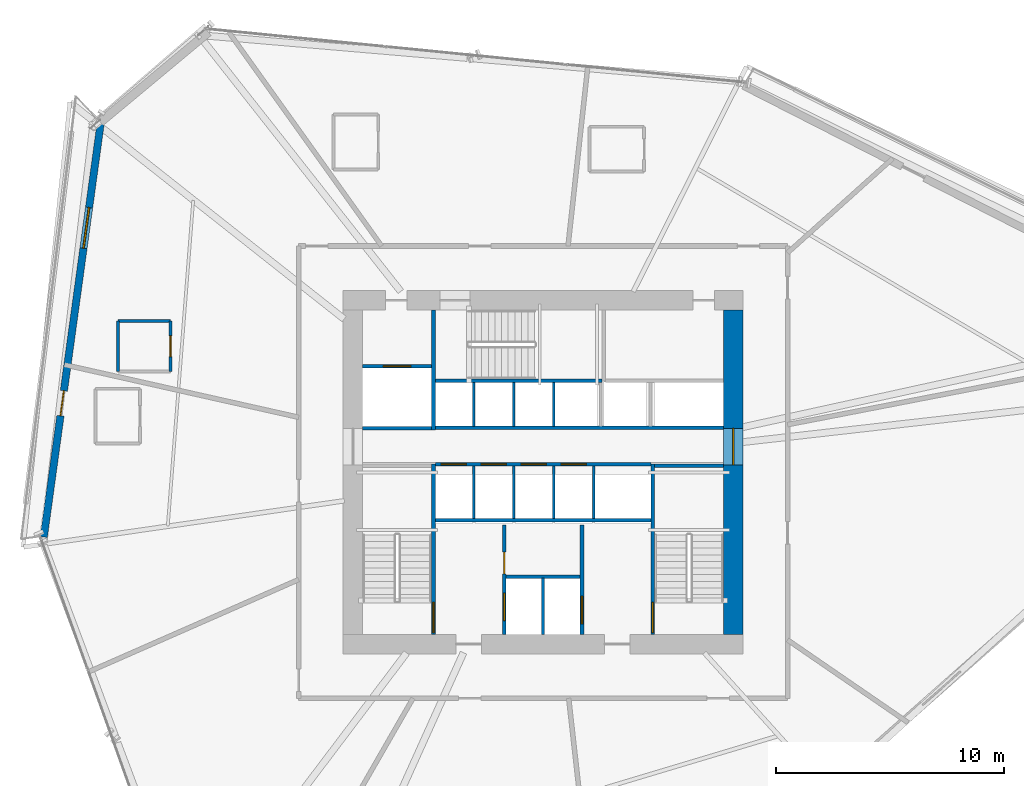
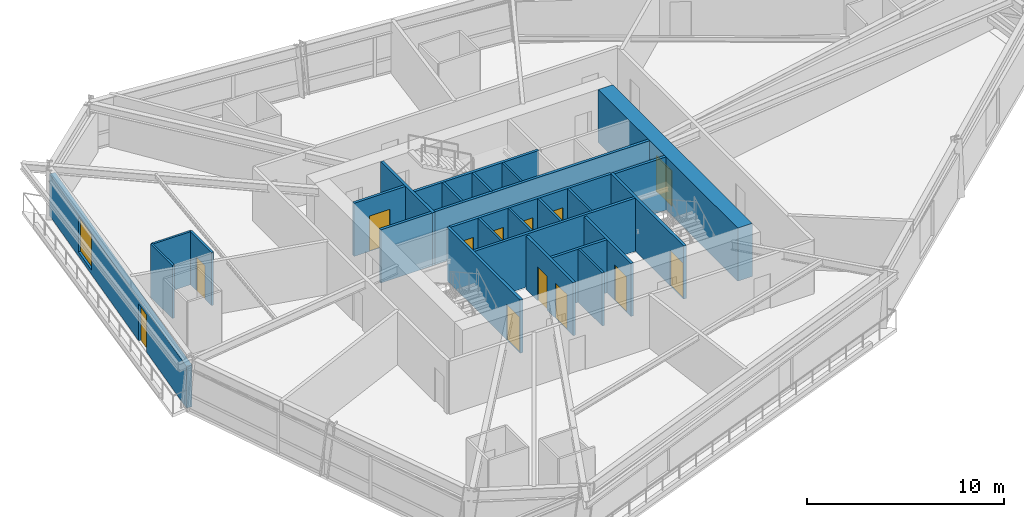
# One storey, part 18 of 24: 26 walls, 13 doors, 1 window, 14 openings.
"""IFC4 building model written with IfcOpenShell, lengths in metres."""

from ifc_helpers import new_model, si_unit, direction, frame, frame_2d, origin, place, context, subcontext, project, spatial, rectangle, extrude, source, transform, mapped, material, layer, layer_set, type_object, type_shapes, element, fill, save


model = new_model("IFC4")

# Units and contexts
model_context = context("Model", 3, precision=1e-05, world=origin(), true_north=direction((0.0, 1.0)))
body_context = subcontext(model_context, "Body", "Model", "MODEL_VIEW")
ifc_project = project(units=[si_unit("LENGTHUNIT", "METRE"), si_unit("AREAUNIT", "SQUARE_METRE"), si_unit("VOLUMEUNIT", "CUBIC_METRE"), si_unit("PLANEANGLEUNIT", "RADIAN"), si_unit("MASSUNIT", "GRAM", prefix="KILO")], contexts=[model_context])

# Site, building, storey
site_placement = place(None, origin())
site = spatial("IfcSite", under=ifc_project, at=site_placement, CompositionType="ELEMENT")
building_placement = place(site_placement, origin())
building = spatial("IfcBuilding", under=site, at=building_placement, Name="Olszyna Solenne Hotel", CompositionType="ELEMENT")
storey_placement = place(building_placement, frame((0.0, 0.0, 64.800048828125)))
storey = spatial("IfcBuildingStorey", under=building, at=storey_placement, Name="L16", CompositionType="ELEMENT", Elevation=64.800048828125)

# Wall, opening, door
ifc_material_1 = material(Name="Concrete C60/75", Category="concrete")
ifc_layer_1 = layer(ifc_material_1, 0.85009765625, Name="Concrete C60/75")
ifc_layer_set_1 = layer_set([ifc_layer_1], Name="Concrete C60/75")
wall_type_1 = type_object("IfcWallType", Name="WL-CR850", PredefinedType="SHEAR", material=ifc_layer_set_1)
wall_1_placement = place(storey_placement, frame((46.324951171875, 33.699951171875, 0.0), z_axis=(0.0, 0.0, 1.0), x_axis=(0.0, -1.0, 0.0)))
wall_1 = element("IfcWall", 1, at=wall_1_placement, inside=storey, type_object=wall_type_1, Name="Core shear wall WL-CR850 CRW-L16-E", PredefinedType="SHEAR", context=body_context, shape_type="SweptSolid", body=[
    extrude(rectangle(XDim=14.199951171875, YDim=0.85009765625, at=frame_2d((7.10009765625, 0.0))), origin(), (0.0, 0.0, 1.0), 3.300048828125),
])
opening_1_placement = place(wall_1_placement, frame((5.179931640625, 0.0, 0.0)))
opening_1 = element("IfcOpeningElement", 2, at=opening_1_placement, cuts=wall_1, Name="Opening LHD-L16-E", PredefinedType="OPENING", context=body_context, shape_type="SweptSolid", body=[
    extrude(rectangle(XDim=1.60009765625, YDim=2.199951171875, at=frame_2d((0.800048828125, 1.10009765625))), frame((0.0, 0.43505859375, 0.0), z_axis=(0.0, -1.0, 0.0), x_axis=(1.0, 0.0, 0.0)), (0.0, 0.0, 1.0), 0.8701171875),
])
ifc_material_2 = material(Name="Timber hardwood", Category="wood")
door_type_1 = type_object("IfcDoorType", Name="DR-CR1", OperationType="DOUBLE_DOOR_SINGLE_SWING", PredefinedType="DOOR", material=ifc_material_2)
shared_shape_1 = source(origin(), body_context, "Body", "SweptSolid", [
    extrude(rectangle(XDim=1.60009765625, YDim=2.199951171875, at=frame_2d((0.800048828125, 1.10009765625))), frame((0.0, 0.02490234375, 0.0), z_axis=(0.0, -1.0, 0.0), x_axis=(1.0, 0.0, 0.0)), (0.0, 0.0, 1.0), 0.050048828125),
])
type_shapes(door_type_1, [shared_shape_1])
door_1_placement = place(opening_1_placement, origin())
door_1 = element("IfcDoor", 3, at=door_1_placement, inside=storey, type_object=door_type_1, Name="Passenger lift lobby East fire door LHD-L16-E", OperationType="DOUBLE_DOOR_SINGLE_SWING", OverallHeight=2.199951171875, OverallWidth=1.60009765625, PredefinedType="DOOR", context=body_context, shape_type="MappedRepresentation", body=[
    mapped(shared_shape_1, transform((0.0, 0.0, 0.0), x_axis=(1.0, 0.0, 0.0), y_axis=(0.0, 1.0, 0.0), z_axis=(0.0, 0.0, 1.0), scale=1.0)),
])
fill(opening_1, door_1)

# Wall, openings, door, window
ifc_material_3 = material(Name="Precast concrete C45/55", Category="concrete")
ifc_layer_2 = layer(ifc_material_3, 0.320068359375, Name="Precast concrete C45/55")
ifc_layer_set_2 = layer_set([ifc_layer_2], Name="Precast concrete C45/55")
wall_type_2 = type_object("IfcWallType", Name="WL-EX320", PredefinedType="SOLIDWALL", material=ifc_layer_set_2)
wall_2_placement = place(storey_placement, frame((16.141357421875, 23.761474609375, 0.0), z_axis=(0.0, 0.0, 1.0), x_axis=(0.136198703883, 0.990681539679, 0.0)))
wall_2 = element("IfcWall", 4, at=wall_2_placement, inside=storey, type_object=wall_type_2, Name="Exterior terracotta-precast frame wall WL-EX320 EW-L16-04", PredefinedType="SOLIDWALL", context=body_context, shape_type="SweptSolid", body=[
    extrude(rectangle(XDim=18.455810546875, YDim=0.320068359375, at=frame_2d((9.22802734375, 0.0))), origin(), (0.0, 0.0, 1.0), 2.592041015625),
])
opening_2_placement = place(wall_2_placement, frame((5.35595703125, 0.0, 0.0)))
opening_2 = element("IfcOpeningElement", 5, at=opening_2_placement, cuts=wall_2, Name="Opening LDG-L16-2", PredefinedType="OPENING", context=body_context, shape_type="SweptSolid", body=[
    extrude(rectangle(XDim=1.10009765625, YDim=2.300048828125, at=frame_2d((0.550048828125, 1.14990234375))), frame((0.0, 0.169921875, 0.0), z_axis=(0.0, -1.0, 0.0), x_axis=(1.0, 0.0, 0.0)), (0.0, 0.0, 1.0), 0.340087890625),
])
opening_3_placement = place(wall_2_placement, frame((12.758056640625, 0.0, 0.27197265625)))
opening_3 = element("IfcOpeningElement", 6, at=opening_3_placement, cuts=wall_2, Name="Opening WN-L16-075", PredefinedType="OPENING", context=body_context, shape_type="SweptSolid", body=[
    extrude(rectangle(XDim=1.800048828125, YDim=2.199951171875, at=frame_2d((0.89990234375, 1.10009765625))), frame((0.0, 0.169921875, 0.0), z_axis=(0.0, -1.0, 0.0), x_axis=(1.0, 0.0, 0.0)), (0.0, 0.0, 1.0), 0.340087890625),
])
ifc_material_4 = material(Name="Anodised bronze aluminium", Category="aluminium")
door_type_2 = type_object("IfcDoorType", Name="DR-LG1", OperationType="NOTDEFINED", PredefinedType="DOOR", material=ifc_material_4)
shared_shape_2 = source(origin(), body_context, "Body", "SweptSolid", [
    extrude(rectangle(XDim=1.10009765625, YDim=2.300048828125, at=frame_2d((0.550048828125, 1.14990234375))), frame((0.0, 0.02490234375, 0.0), z_axis=(0.0, -1.0, 0.0), x_axis=(1.0, 0.0, 0.0)), (0.0, 0.0, 1.0), 0.050048828125),
])
type_shapes(door_type_2, [shared_shape_2])
door_2_placement = place(opening_2_placement, origin())
door_2 = element("IfcDoor", 7, at=door_2_placement, inside=storey, type_object=door_type_2, Name="Exterior loggia balcony door DR-LG1 LDG-L16-2", OperationType="SINGLE_SWING_LEFT", OverallHeight=2.300048828125, OverallWidth=1.10009765625, PredefinedType="DOOR", context=body_context, shape_type="MappedRepresentation", body=[
    mapped(shared_shape_2, transform((0.0, 0.0, 0.0), x_axis=(1.0, 0.0, 0.0), y_axis=(0.0, 1.0, 0.0), z_axis=(0.0, 0.0, 1.0), scale=1.0)),
])
fill(opening_2, door_2)
ifc_material_5 = material(Name="Low-E triple glazing", Category="glass")
window_type = type_object("IfcWindowType", Name="WN-HT1", PartitioningType="SINGLE_PANEL", PredefinedType="WINDOW", material=ifc_material_5)
shared_shape_3 = source(origin(), body_context, "Body", "SweptSolid", [
    extrude(rectangle(XDim=1.800048828125, YDim=2.199951171875, at=frame_2d((0.89990234375, 1.10009765625))), frame((0.0, 0.030029296875, 0.0), z_axis=(0.0, -1.0, 0.0), x_axis=(1.0, 0.0, 0.0)), (0.0, 0.0, 1.0), 0.06005859375),
])
type_shapes(window_type, [shared_shape_3])
window_placement = place(opening_3_placement, origin())
window = element("IfcWindow", 8, at=window_placement, inside=storey, type_object=window_type, Name="Loggia room window WN-HT1 WN-L16-075", OverallHeight=2.199951171875, OverallWidth=1.800048828125, PartitioningType="SINGLE_PANEL", PredefinedType="WINDOW", context=body_context, shape_type="MappedRepresentation", body=[
    mapped(shared_shape_3, transform((0.0, 0.0, 0.0), x_axis=(1.0, 0.0, 0.0), y_axis=(0.0, 1.0, 0.0), z_axis=(0.0, 0.0, 1.0), scale=1.0)),
])
fill(opening_3, window)

# Walls
ifc_material_6 = material(Name="Acoustic gypsum partition", Category="gypsum")
ifc_layer_3 = layer(ifc_material_6, 0.125, Name="Acoustic gypsum partition")
ifc_layer_set_3 = layer_set([ifc_layer_3], Name="Acoustic gypsum partition")
wall_type_3 = type_object("IfcWallType", Name="WL-PT125", PredefinedType="PARTITIONING", material=ifc_layer_set_3)
wall_3_placement = place(storey_placement, frame((38.0, 19.5, 0.0), z_axis=(0.0, 0.0, 1.0), x_axis=(0.0, 1.0, 0.0)))
element("IfcWall", 9, at=wall_3_placement, inside=storey, type_object=wall_type_3, Name="Core shaft compartment wall CW-L16-FFM", PredefinedType="PARTITIONING", context=body_context, shape_type="SweptSolid", body=[
    extrude(rectangle(XDim=2.4599609375, YDim=0.125, at=frame_2d((1.22998046875, 0.0))), origin(), (0.0, 0.0, 1.0), 3.300048828125),
])
for number, where, z_axis, x_axis, name in (
    (10, (34.965087890625, 24.56005859375, 0.0), (0.0, 0.0, 1.0), (0.0, 1.0, 0.0), "Core shaft compartment wall CW-L16-DIVS349"),
    (11, (36.715087890625, 24.56005859375, 0.0), (0.0, 0.0, 1.0), (0.0, 1.0, 0.0), "Core shaft compartment wall CW-L16-DIVS367"),
    (12, (38.465087890625, 24.56005859375, 0.0), (0.0, 0.0, 1.0), (0.0, 1.0, 0.0), "Core shaft compartment wall CW-L16-DIVS384"),
    (13, (40.215087890625, 24.56005859375, 0.0), (0.0, 0.0, 1.0), (0.0, 1.0, 0.0), "Core shaft compartment wall CW-L16-DIVS402"),
):
    element("IfcWall", number, at=place(storey_placement, frame(where, z_axis=z_axis, x_axis=x_axis)), inside=storey, type_object=wall_type_3, Name=name, PredefinedType="PARTITIONING", context=body_context, shape_type="SweptSolid", body=[
        extrude(rectangle(XDim=2.31005859375, YDim=0.125, at=frame_2d((1.155029296875, 0.0))), origin(), (0.0, 0.0, 1.0), 3.300048828125),
    ])
for number, where, z_axis, x_axis, name in (
    (14, (34.965087890625, 28.60009765625, 0.0), (0.0, 0.0, 1.0), (0.0, 1.0, 0.0), "Core shaft compartment wall CW-L16-DIVN349"),
    (15, (36.715087890625, 28.60009765625, 0.0), (0.0, 0.0, 1.0), (0.0, 1.0, 0.0), "Core shaft compartment wall CW-L16-DIVN367"),
    (16, (38.465087890625, 28.60009765625, 0.0), (0.0, 0.0, 1.0), (0.0, 1.0, 0.0), "Core shaft compartment wall CW-L16-DIVN384"),
):
    element("IfcWall", number, at=place(storey_placement, frame(where, z_axis=z_axis, x_axis=x_axis)), inside=storey, type_object=wall_type_3, Name=name, PredefinedType="PARTITIONING", context=body_context, shape_type="SweptSolid", body=[
        extrude(rectangle(XDim=1.919921875, YDim=0.125, at=frame_2d((0.9599609375, 0.0))), origin(), (0.0, 0.0, 1.0), 3.300048828125),
    ])

# Wall, opening, door
wall_4_placement = place(storey_placement, frame((21.69091796875, 31.010009765625, 0.0), z_axis=(0.0, 0.0, 1.0), x_axis=(0.0, 1.0, 0.0)))
wall_4 = element("IfcWall", 17, at=wall_4_placement, inside=storey, type_object=wall_type_3, Name="Interior acoustic partition WL-PT125 PW-L16-0920", PredefinedType="PARTITIONING", context=body_context, shape_type="SweptSolid", body=[
    extrude(rectangle(XDim=2.199951171875, YDim=0.125, at=frame_2d((1.10009765625, 0.0))), origin(), (0.0, 0.0, 1.0), 3.300048828125),
])
opening_4_placement = place(wall_4_placement, frame((0.64990234375, 0.0, 0.0)))
opening_4 = element("IfcOpeningElement", 18, at=opening_4_placement, cuts=wall_4, Name="Opening DR-L16-0206", PredefinedType="OPENING", context=body_context, shape_type="SweptSolid", body=[
    extrude(rectangle(XDim=0.89990234375, YDim=2.10009765625, at=frame_2d((0.449951171875, 1.050048828125))), frame((0.0, 0.072509765625, 0.0), z_axis=(0.0, -1.0, 0.0), x_axis=(1.0, 0.0, 0.0)), (0.0, 0.0, 1.0), 0.14501953125),
])
door_type_3 = type_object("IfcDoorType", Name="DR-WC1", OperationType="NOTDEFINED", PredefinedType="DOOR", material=ifc_material_2)
shared_shape_4 = source(origin(), body_context, "Body", "SweptSolid", [
    extrude(rectangle(XDim=0.89990234375, YDim=2.10009765625, at=frame_2d((0.449951171875, 1.050048828125))), frame((0.0, 0.02490234375, 0.0), z_axis=(0.0, -1.0, 0.0), x_axis=(1.0, 0.0, 0.0)), (0.0, 0.0, 1.0), 0.050048828125),
])
type_shapes(door_type_3, [shared_shape_4])
door_3_placement = place(opening_4_placement, origin())
door_3 = element("IfcDoor", 19, at=door_3_placement, inside=storey, type_object=door_type_3, Name="En-Suite Bathroom Door DR-L16-0206", OperationType="SINGLE_SWING_LEFT", OverallHeight=2.10009765625, OverallWidth=0.89990234375, PredefinedType="DOOR", context=body_context, shape_type="MappedRepresentation", body=[
    mapped(shared_shape_4, transform((0.0, 0.0, 0.0), x_axis=(1.0, 0.0, 0.0), y_axis=(0.0, 1.0, 0.0), z_axis=(0.0, 0.0, 1.0), scale=1.0)),
])
fill(opening_4, door_3)

# Walls
wall_5_placement = place(storey_placement, frame((21.69091796875, 33.2099609375, 0.0), z_axis=(0.0, 0.0, 1.0), x_axis=(-1.0, 0.0, 0.0)))
element("IfcWall", 20, at=wall_5_placement, inside=storey, type_object=wall_type_3, Name="Interior acoustic partition WL-PT125 PW-L16-0921", PredefinedType="PARTITIONING", context=body_context, shape_type="SweptSolid", body=[
    extrude(rectangle(XDim=2.2998046875, YDim=0.125, at=frame_2d((1.14990234375, 0.0))), origin(), (0.0, 0.0, 1.0), 3.300048828125),
])
wall_6_placement = place(storey_placement, frame((19.39111328125, 33.2099609375, 0.0), z_axis=(0.0, 0.0, 1.0), x_axis=(0.0, -1.0, 0.0)))
element("IfcWall", 21, at=wall_6_placement, inside=storey, type_object=wall_type_3, Name="Interior acoustic partition WL-PT125 PW-L16-0922", PredefinedType="PARTITIONING", context=body_context, shape_type="SweptSolid", body=[
    extrude(rectangle(XDim=2.199951171875, YDim=0.125, at=frame_2d((1.10009765625, 0.0))), origin(), (0.0, 0.0, 1.0), 3.300048828125),
])

# Wall, opening, door
ifc_layer_4 = layer(ifc_material_6, 0.159912109375, Name="Acoustic gypsum partition")
ifc_layer_set_4 = layer_set([ifc_layer_4], Name="Acoustic gypsum partition")
wall_type_4 = type_object("IfcWallType", Name="WL-PT160", PredefinedType="PARTITIONING", material=ifc_layer_set_4)
wall_7_placement = place(storey_placement, frame((33.199951171875, 19.5, 0.0), z_axis=(0.0, 0.0, 1.0), x_axis=(0.0, 1.0, 0.0)))
wall_7 = element("IfcWall", 22, at=wall_7_placement, inside=storey, type_object=wall_type_4, Name="Core shaft compartment wall CW-L16-ST1E", PredefinedType="PARTITIONING", context=body_context, shape_type="SweptSolid", body=[
    extrude(rectangle(XDim=7.4599609375, YDim=0.159912109375, at=frame_2d((3.72998046875, 0.0))), origin(), (0.0, 0.0, 1.0), 3.300048828125),
])
opening_5_placement = place(wall_7_placement, frame((0.080078125, 0.0, 0.0)))
opening_5 = element("IfcOpeningElement", 23, at=opening_5_placement, cuts=wall_7, Name="Opening STD-L16-01", PredefinedType="OPENING", context=body_context, shape_type="SweptSolid", body=[
    extrude(rectangle(XDim=1.320068359375, YDim=2.199951171875, at=frame_2d((0.66015625, 1.10009765625))), frame((0.0, 0.08984375, 0.0), z_axis=(0.0, -1.0, 0.0), x_axis=(1.0, 0.0, 0.0)), (0.0, 0.0, 1.0), 0.179931640625),
])
ifc_material_7 = material(Name="Steel S355J2", Category="steel")
door_type_4 = type_object("IfcDoorType", Name="DR-ST1", OperationType="NOTDEFINED", PredefinedType="DOOR", material=ifc_material_7)
shared_shape_5 = source(origin(), body_context, "Body", "SweptSolid", [
    extrude(rectangle(XDim=1.320068359375, YDim=2.199951171875, at=frame_2d((0.66015625, 1.10009765625))), frame((0.0, 0.02490234375, 0.0), z_axis=(0.0, -1.0, 0.0), x_axis=(1.0, 0.0, 0.0)), (0.0, 0.0, 1.0), 0.050048828125),
])
type_shapes(door_type_4, [shared_shape_5])
door_4_placement = place(opening_5_placement, origin())
door_4 = element("IfcDoor", 24, at=door_4_placement, inside=storey, type_object=door_type_4, Name="Pressurised exit stair ST1 fire door STD-L16-01", OperationType="SINGLE_SWING_LEFT", OverallHeight=2.199951171875, OverallWidth=1.320068359375, PredefinedType="DOOR", context=body_context, shape_type="MappedRepresentation", body=[
    mapped(shared_shape_5, transform((0.0, 0.0, 0.0), x_axis=(1.0, 0.0, 0.0), y_axis=(0.0, 1.0, 0.0), z_axis=(0.0, 0.0, 1.0), scale=1.0)),
])
fill(opening_5, door_4)

wall_8_placement = place(storey_placement, frame((42.800048828125, 26.9599609375, 0.0), z_axis=(0.0, 0.0, 1.0), x_axis=(0.0, -1.0, 0.0)))
wall_8 = element("IfcWall", 25, at=wall_8_placement, inside=storey, type_object=wall_type_4, Name="Core shaft compartment wall CW-L16-ST2W", PredefinedType="PARTITIONING", context=body_context, shape_type="SweptSolid", body=[
    extrude(rectangle(XDim=7.4599609375, YDim=0.159912109375, at=frame_2d((3.72998046875, 0.0))), origin(), (0.0, 0.0, 1.0), 3.300048828125),
])
opening_6_placement = place(wall_8_placement, frame((6.06005859375, 0.0, 0.0)))
opening_6 = element("IfcOpeningElement", 26, at=opening_6_placement, cuts=wall_8, Name="Opening STD-L16-02", PredefinedType="OPENING", context=body_context, shape_type="SweptSolid", body=[
    extrude(rectangle(XDim=1.320068359375, YDim=2.199951171875, at=frame_2d((0.66015625, 1.10009765625))), frame((0.0, 0.08984375, 0.0), z_axis=(0.0, -1.0, 0.0), x_axis=(1.0, 0.0, 0.0)), (0.0, 0.0, 1.0), 0.179931640625),
])
door_5_placement = place(opening_6_placement, origin())
door_5 = element("IfcDoor", 27, at=door_5_placement, inside=storey, type_object=door_type_4, Name="Pressurised exit stair ST2 fire door STD-L16-02", OperationType="SINGLE_SWING_RIGHT", OverallHeight=2.199951171875, OverallWidth=1.320068359375, PredefinedType="DOOR", context=body_context, shape_type="MappedRepresentation", body=[
    mapped(shared_shape_5, transform((0.0, 0.0, 0.0), x_axis=(1.0, 0.0, 0.0), y_axis=(0.0, 1.0, 0.0), z_axis=(0.0, 0.0, 1.0), scale=1.0)),
])
fill(opening_6, door_5)

# Walls
wall_9_placement = place(storey_placement, frame((42.8798828125, 26.8798828125, 0.0), z_axis=(0.0, 0.0, 1.0), x_axis=(1.0, 0.0, 0.0)))
element("IfcWall", 28, at=wall_9_placement, inside=storey, type_object=wall_type_4, Name="Core shaft compartment wall CW-L16-ST2N", PredefinedType="PARTITIONING", context=body_context, shape_type="SweptSolid", body=[
    extrude(rectangle(XDim=3.02001953125, YDim=0.159912109375, at=frame_2d((1.510009765625, 0.0))), origin(), (0.0, 0.0, 1.0), 3.300048828125),
])
wall_10_placement = place(storey_placement, frame((33.280029296875, 30.60009765625, 0.0), z_axis=(0.0, 0.0, 1.0), x_axis=(1.0, 0.0, 0.0)))
element("IfcWall", 29, at=wall_10_placement, inside=storey, type_object=wall_type_4, Name="Core shaft compartment wall CW-L16-ST3S", PredefinedType="PARTITIONING", context=body_context, shape_type="SweptSolid", body=[
    extrude(rectangle(XDim=7.300048828125, YDim=0.159912109375, at=frame_2d((3.64990234375, 0.0))), origin(), (0.0, 0.0, 1.0), 3.300048828125),
])

# Wall, openings, doors
wall_11_placement = place(storey_placement, frame((36.300048828125, 19.5, 0.0), z_axis=(0.0, 0.0, 1.0), x_axis=(0.0, 1.0, 0.0)))
wall_11 = element("IfcWall", 30, at=wall_11_placement, inside=storey, type_object=wall_type_4, Name="Core shaft compartment wall CW-L16-FF1W", PredefinedType="PARTITIONING", context=body_context, shape_type="SweptSolid", body=[
    extrude(rectangle(XDim=4.780029296875, YDim=0.159912109375, at=frame_2d((2.39013671875, 0.0))), origin(), (0.0, 0.0, 1.0), 3.300048828125),
])
opening_7_placement = place(wall_11_placement, frame((0.60009765625, 0.0, 0.0)))
opening_7 = element("IfcOpeningElement", 31, at=opening_7_placement, cuts=wall_11, Name="Opening LD-L16-FF1", PredefinedType="OPENING", context=body_context, shape_type="SweptSolid", body=[
    extrude(rectangle(XDim=1.199951171875, YDim=2.199951171875, at=frame_2d((0.60009765625, 1.10009765625))), frame((0.0, 0.08984375, 0.0), z_axis=(0.0, -1.0, 0.0), x_axis=(1.0, 0.0, 0.0)), (0.0, 0.0, 1.0), 0.179931640625),
])
opening_8_placement = place(wall_11_placement, frame((2.64990234375, 0.0, 0.0)))
opening_8 = element("IfcOpeningElement", 32, at=opening_8_placement, cuts=wall_11, Name="Opening SVD-L16-SMK", PredefinedType="OPENING", context=body_context, shape_type="SweptSolid", body=[
    extrude(rectangle(XDim=0.949951171875, YDim=2.10009765625, at=frame_2d((0.47509765625, 1.050048828125))), frame((0.0, 0.08984375, 0.0), z_axis=(0.0, -1.0, 0.0), x_axis=(1.0, 0.0, 0.0)), (0.0, 0.0, 1.0), 0.179931640625),
])
door_type_5 = type_object("IfcDoorType", Name="DR-SV1", OperationType="NOTDEFINED", PredefinedType="DOOR", material=ifc_material_7)
shared_shape_6 = source(origin(), body_context, "Body", "SweptSolid", [
    extrude(rectangle(XDim=0.949951171875, YDim=2.10009765625, at=frame_2d((0.47509765625, 1.050048828125))), frame((0.0, 0.02490234375, 0.0), z_axis=(0.0, -1.0, 0.0), x_axis=(1.0, 0.0, 0.0)), (0.0, 0.0, 1.0), 0.050048828125),
])
type_shapes(door_type_5, [shared_shape_6])
door_6_placement = place(opening_8_placement, origin())
door_6 = element("IfcDoor", 33, at=door_6_placement, inside=storey, type_object=door_type_5, Name="Valet and core service room door SVD-L16-SMK", OperationType="SINGLE_SWING_LEFT", OverallHeight=2.10009765625, OverallWidth=0.949951171875, PredefinedType="DOOR", context=body_context, shape_type="MappedRepresentation", body=[
    mapped(shared_shape_6, transform((0.0, 0.0, 0.0), x_axis=(1.0, 0.0, 0.0), y_axis=(0.0, 1.0, 0.0), z_axis=(0.0, 0.0, 1.0), scale=1.0)),
])
fill(opening_8, door_6)
door_type_6 = type_object("IfcDoorType", Name="LD-FF1", OperationType="DOUBLE_DOOR_SLIDING", PredefinedType="DOOR", material=ifc_material_7)
shared_shape_7 = source(origin(), body_context, "Body", "SweptSolid", [
    extrude(rectangle(XDim=1.199951171875, YDim=2.199951171875, at=frame_2d((0.60009765625, 1.10009765625))), frame((0.0, 0.02490234375, 0.0), z_axis=(0.0, -1.0, 0.0), x_axis=(1.0, 0.0, 0.0)), (0.0, 0.0, 1.0), 0.050048828125),
])
type_shapes(door_type_6, [shared_shape_7])
door_7_placement = place(opening_7_placement, origin())
door_7 = element("IfcDoor", 34, at=door_7_placement, inside=storey, type_object=door_type_6, Name="Firefighters lift FF1 sliding landing door LD-L16-FF1", OperationType="DOUBLE_DOOR_SLIDING", OverallHeight=2.199951171875, OverallWidth=1.199951171875, PredefinedType="DOOR", context=body_context, shape_type="MappedRepresentation", body=[
    mapped(shared_shape_7, transform((0.0, 0.0, 0.0), x_axis=(1.0, 0.0, 0.0), y_axis=(0.0, 1.0, 0.0), z_axis=(0.0, 0.0, 1.0), scale=1.0)),
])
fill(opening_7, door_7)

# Wall, opening, door
wall_12_placement = place(storey_placement, frame((39.699951171875, 24.280029296875, 0.0), z_axis=(0.0, 0.0, 1.0), x_axis=(0.0, -1.0, 0.0)))
wall_12 = element("IfcWall", 35, at=wall_12_placement, inside=storey, type_object=wall_type_4, Name="Core shaft compartment wall CW-L16-FF2E", PredefinedType="PARTITIONING", context=body_context, shape_type="SweptSolid", body=[
    extrude(rectangle(XDim=4.780029296875, YDim=0.159912109375, at=frame_2d((2.39013671875, 0.0))), origin(), (0.0, 0.0, 1.0), 3.300048828125),
])
opening_9_placement = place(wall_12_placement, frame((3.1201171875, 0.0, 0.0)))
opening_9 = element("IfcOpeningElement", 36, at=opening_9_placement, cuts=wall_12, Name="Opening LD-L16-FF2", PredefinedType="OPENING", context=body_context, shape_type="SweptSolid", body=[
    extrude(rectangle(XDim=1.199951171875, YDim=2.199951171875, at=frame_2d((0.60009765625, 1.10009765625))), frame((0.0, 0.08984375, 0.0), z_axis=(0.0, -1.0, 0.0), x_axis=(1.0, 0.0, 0.0)), (0.0, 0.0, 1.0), 0.179931640625),
])
door_8_placement = place(opening_9_placement, origin())
door_8 = element("IfcDoor", 37, at=door_8_placement, inside=storey, type_object=door_type_6, Name="Firefighters lift FF2 sliding landing door LD-L16-FF2", OperationType="DOUBLE_DOOR_SLIDING", OverallHeight=2.199951171875, OverallWidth=1.199951171875, PredefinedType="DOOR", context=body_context, shape_type="MappedRepresentation", body=[
    mapped(shared_shape_7, transform((0.0, 0.0, 0.0), x_axis=(1.0, 0.0, 0.0), y_axis=(0.0, 1.0, 0.0), z_axis=(0.0, 0.0, 1.0), scale=1.0)),
])
fill(opening_9, door_8)

# Walls
wall_13_placement = place(storey_placement, frame((36.3798828125, 22.02001953125, 0.0), z_axis=(0.0, 0.0, 1.0), x_axis=(1.0, 0.0, 0.0)))
element("IfcWall", 38, at=wall_13_placement, inside=storey, type_object=wall_type_4, Name="Core shaft compartment wall CW-L16-FFN", PredefinedType="PARTITIONING", context=body_context, shape_type="SweptSolid", body=[
    extrude(rectangle(XDim=3.240234375, YDim=0.159912109375, at=frame_2d((1.6201171875, 0.0))), origin(), (0.0, 0.0, 1.0), 3.300048828125),
])
wall_14_placement = place(storey_placement, frame((33.280029296875, 24.489990234375, 0.0), z_axis=(0.0, 0.0, 1.0), x_axis=(1.0, 0.0, 0.0)))
element("IfcWall", 39, at=wall_14_placement, inside=storey, type_object=wall_type_4, Name="Core shaft compartment wall CW-L16-FFBN", PredefinedType="PARTITIONING", context=body_context, shape_type="SweptSolid", body=[
    extrude(rectangle(XDim=9.43994140625, YDim=0.159912109375, at=frame_2d((4.719970703125, 0.0))), origin(), (0.0, 0.0, 1.0), 3.300048828125),
])
wall_15_placement = place(storey_placement, frame((30.10009765625, 28.52001953125, 0.0), z_axis=(0.0, 0.0, 1.0), x_axis=(1.0, 0.0, 0.0)))
element("IfcWall", 40, at=wall_15_placement, inside=storey, type_object=wall_type_4, Name="Core shaft compartment wall CW-L16-SV1S", PredefinedType="PARTITIONING", context=body_context, shape_type="SweptSolid", body=[
    extrude(rectangle(XDim=3.02001953125, YDim=0.159912109375, at=frame_2d((1.510009765625, 0.0))), origin(), (0.0, 0.0, 1.0), 3.300048828125),
])
wall_16_placement = place(storey_placement, frame((33.199951171875, 28.43994140625, 0.0), z_axis=(0.0, 0.0, 1.0), x_axis=(0.0, 1.0, 0.0)))
element("IfcWall", 41, at=wall_16_placement, inside=storey, type_object=wall_type_4, Name="Core shaft compartment wall CW-L16-SV1E", PredefinedType="PARTITIONING", context=body_context, shape_type="SweptSolid", body=[
    extrude(rectangle(XDim=5.260009765625, YDim=0.159912109375, at=frame_2d((2.6298828125, 0.0))), origin(), (0.0, 0.0, 1.0), 3.300048828125),
])

# Wall, opening, door
wall_17_placement = place(storey_placement, frame((30.10009765625, 31.239990234375, 0.0), z_axis=(0.0, 0.0, 1.0), x_axis=(1.0, 0.0, 0.0)))
wall_17 = element("IfcWall", 42, at=wall_17_placement, inside=storey, type_object=wall_type_4, Name="Core shaft compartment wall CW-L16-SV1N", PredefinedType="PARTITIONING", context=body_context, shape_type="SweptSolid", body=[
    extrude(rectangle(XDim=3.02001953125, YDim=0.159912109375, at=frame_2d((1.510009765625, 0.0))), origin(), (0.0, 0.0, 1.0), 3.300048828125),
])
opening_10_placement = place(wall_17_placement, frame((0.909912109375, 0.0, 0.0)))
opening_10 = element("IfcOpeningElement", 43, at=opening_10_placement, cuts=wall_17, Name="Opening LD-L16-SV1", PredefinedType="OPENING", context=body_context, shape_type="SweptSolid", body=[
    extrude(rectangle(XDim=1.199951171875, YDim=2.199951171875, at=frame_2d((0.60009765625, 1.10009765625))), frame((0.0, 0.08984375, 0.0), z_axis=(0.0, -1.0, 0.0), x_axis=(1.0, 0.0, 0.0)), (0.0, 0.0, 1.0), 0.179931640625),
])
door_9_placement = place(opening_10_placement, origin())
door_9 = element("IfcDoor", 44, at=door_9_placement, inside=storey, type_object=door_type_6, Name="Service lift SV1 sliding landing door LD-L16-SV1", OperationType="DOUBLE_DOOR_SLIDING", OverallHeight=2.199951171875, OverallWidth=1.199951171875, PredefinedType="DOOR", context=body_context, shape_type="MappedRepresentation", body=[
    mapped(shared_shape_7, transform((0.0, 0.0, 0.0), x_axis=(1.0, 0.0, 0.0), y_axis=(0.0, 1.0, 0.0), z_axis=(0.0, 0.0, 1.0), scale=1.0)),
])
fill(opening_10, door_9)

# Wall, openings, doors
wall_18_placement = place(storey_placement, frame((33.280029296875, 26.949951171875, 0.0), z_axis=(0.0, 0.0, 1.0), x_axis=(1.0, 0.0, 0.0)))
wall_18 = element("IfcWall", 45, at=wall_18_placement, inside=storey, type_object=wall_type_4, Name="Core shaft compartment wall CW-L16-LRS", PredefinedType="PARTITIONING", context=body_context, shape_type="SweptSolid", body=[
    extrude(rectangle(XDim=9.43994140625, YDim=0.159912109375, at=frame_2d((4.719970703125, 0.0))), origin(), (0.0, 0.0, 1.0), 3.300048828125),
])
opening_11_placement = place(wall_18_placement, frame((0.260009765625, 0.0, 0.0)))
opening_11 = element("IfcOpeningElement", 46, at=opening_11_placement, cuts=wall_18, Name="Opening LD-L16-PL1", PredefinedType="OPENING", context=body_context, shape_type="SweptSolid", body=[
    extrude(rectangle(XDim=1.10009765625, YDim=2.199951171875, at=frame_2d((0.550048828125, 1.10009765625))), frame((0.0, 0.08984375, 0.0), z_axis=(0.0, -1.0, 0.0), x_axis=(1.0, 0.0, 0.0)), (0.0, 0.0, 1.0), 0.179931640625),
])
opening_12_placement = place(wall_18_placement, frame((2.010009765625, 0.0, 0.0)))
opening_12 = element("IfcOpeningElement", 47, at=opening_12_placement, cuts=wall_18, Name="Opening LD-L16-PL2", PredefinedType="OPENING", context=body_context, shape_type="SweptSolid", body=[
    extrude(rectangle(XDim=1.10009765625, YDim=2.199951171875, at=frame_2d((0.550048828125, 1.10009765625))), frame((0.0, 0.08984375, 0.0), z_axis=(0.0, -1.0, 0.0), x_axis=(1.0, 0.0, 0.0)), (0.0, 0.0, 1.0), 0.179931640625),
])
opening_13_placement = place(wall_18_placement, frame((3.760009765625, 0.0, 0.0)))
opening_13 = element("IfcOpeningElement", 48, at=opening_13_placement, cuts=wall_18, Name="Opening LD-L16-PL3", PredefinedType="OPENING", context=body_context, shape_type="SweptSolid", body=[
    extrude(rectangle(XDim=1.10009765625, YDim=2.199951171875, at=frame_2d((0.550048828125, 1.10009765625))), frame((0.0, 0.08984375, 0.0), z_axis=(0.0, -1.0, 0.0), x_axis=(1.0, 0.0, 0.0)), (0.0, 0.0, 1.0), 0.179931640625),
])
opening_14_placement = place(wall_18_placement, frame((5.510009765625, 0.0, 0.0)))
opening_14 = element("IfcOpeningElement", 49, at=opening_14_placement, cuts=wall_18, Name="Opening LD-L16-PL4", PredefinedType="OPENING", context=body_context, shape_type="SweptSolid", body=[
    extrude(rectangle(XDim=1.10009765625, YDim=2.199951171875, at=frame_2d((0.550048828125, 1.10009765625))), frame((0.0, 0.08984375, 0.0), z_axis=(0.0, -1.0, 0.0), x_axis=(1.0, 0.0, 0.0)), (0.0, 0.0, 1.0), 0.179931640625),
])
door_type_7 = type_object("IfcDoorType", Name="LD-P1", OperationType="DOUBLE_DOOR_SLIDING", PredefinedType="DOOR", material=ifc_material_7)
shared_shape_8 = source(origin(), body_context, "Body", "SweptSolid", [
    extrude(rectangle(XDim=1.10009765625, YDim=2.199951171875, at=frame_2d((0.550048828125, 1.10009765625))), frame((0.0, 0.02490234375, 0.0), z_axis=(0.0, -1.0, 0.0), x_axis=(1.0, 0.0, 0.0)), (0.0, 0.0, 1.0), 0.050048828125),
])
type_shapes(door_type_7, [shared_shape_8])
door_10_placement = place(opening_11_placement, origin())
door_10 = element("IfcDoor", 50, at=door_10_placement, inside=storey, type_object=door_type_7, Name="Passenger lift PL1 sliding landing door LD-L16-PL1", OperationType="DOUBLE_DOOR_SLIDING", OverallHeight=2.199951171875, OverallWidth=1.10009765625, PredefinedType="DOOR", context=body_context, shape_type="MappedRepresentation", body=[
    mapped(shared_shape_8, transform((0.0, 0.0, 0.0), x_axis=(1.0, 0.0, 0.0), y_axis=(0.0, 1.0, 0.0), z_axis=(0.0, 0.0, 1.0), scale=1.0)),
])
fill(opening_11, door_10)
door_11_placement = place(opening_12_placement, origin())
door_11 = element("IfcDoor", 51, at=door_11_placement, inside=storey, type_object=door_type_7, Name="Passenger lift PL2 sliding landing door LD-L16-PL2", OperationType="DOUBLE_DOOR_SLIDING", OverallHeight=2.199951171875, OverallWidth=1.10009765625, PredefinedType="DOOR", context=body_context, shape_type="MappedRepresentation", body=[
    mapped(shared_shape_8, transform((0.0, 0.0, 0.0), x_axis=(1.0, 0.0, 0.0), y_axis=(0.0, 1.0, 0.0), z_axis=(0.0, 0.0, 1.0), scale=1.0)),
])
fill(opening_12, door_11)
door_12_placement = place(opening_13_placement, origin())
door_12 = element("IfcDoor", 52, at=door_12_placement, inside=storey, type_object=door_type_7, Name="Passenger lift PL3 sliding landing door LD-L16-PL3", OperationType="DOUBLE_DOOR_SLIDING", OverallHeight=2.199951171875, OverallWidth=1.10009765625, PredefinedType="DOOR", context=body_context, shape_type="MappedRepresentation", body=[
    mapped(shared_shape_8, transform((0.0, 0.0, 0.0), x_axis=(1.0, 0.0, 0.0), y_axis=(0.0, 1.0, 0.0), z_axis=(0.0, 0.0, 1.0), scale=1.0)),
])
fill(opening_13, door_12)
door_13_placement = place(opening_14_placement, origin())
door_13 = element("IfcDoor", 53, at=door_13_placement, inside=storey, type_object=door_type_7, Name="Passenger lift PL4 sliding landing door LD-L16-PL4", OperationType="DOUBLE_DOOR_SLIDING", OverallHeight=2.199951171875, OverallWidth=1.10009765625, PredefinedType="DOOR", context=body_context, shape_type="MappedRepresentation", body=[
    mapped(shared_shape_8, transform((0.0, 0.0, 0.0), x_axis=(1.0, 0.0, 0.0), y_axis=(0.0, 1.0, 0.0), z_axis=(0.0, 0.0, 1.0), scale=1.0)),
])
fill(opening_14, door_13)

# Wall
wall_19_placement = place(storey_placement, frame((33.280029296875, 28.5400390625, 0.0), z_axis=(0.0, 0.0, 1.0), x_axis=(1.0, 0.0, 0.0)))
element("IfcWall", 54, at=wall_19_placement, inside=storey, type_object=wall_type_4, Name="Core shaft compartment wall CW-L16-LRN", PredefinedType="PARTITIONING", context=body_context, shape_type="SweptSolid", body=[
    extrude(rectangle(XDim=12.619873046875, YDim=0.159912109375, at=frame_2d((6.31005859375, 0.0))), origin(), (0.0, 0.0, 1.0), 3.300048828125),
])

save(model, "model.ifc")
